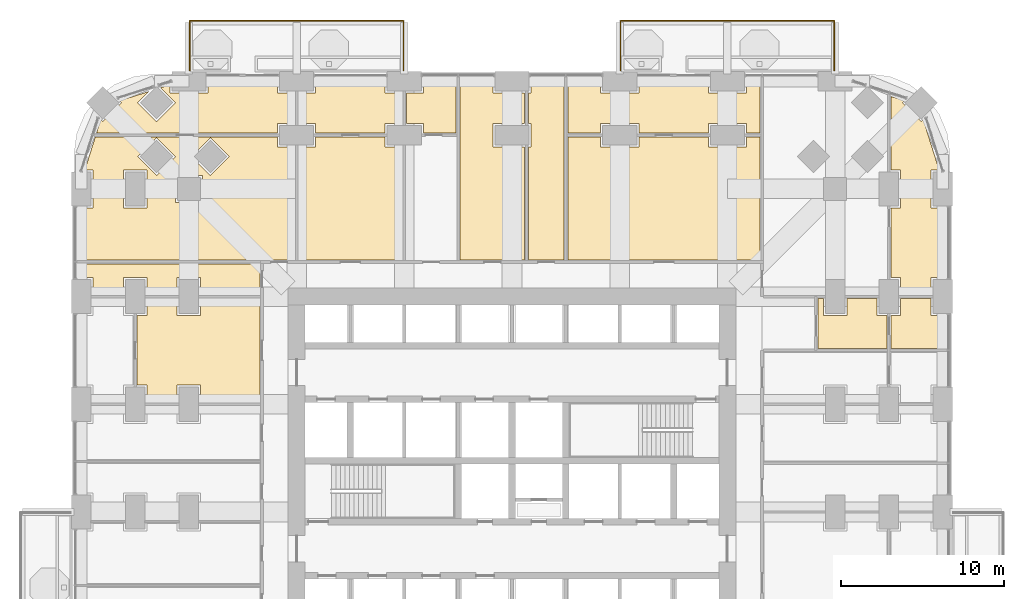
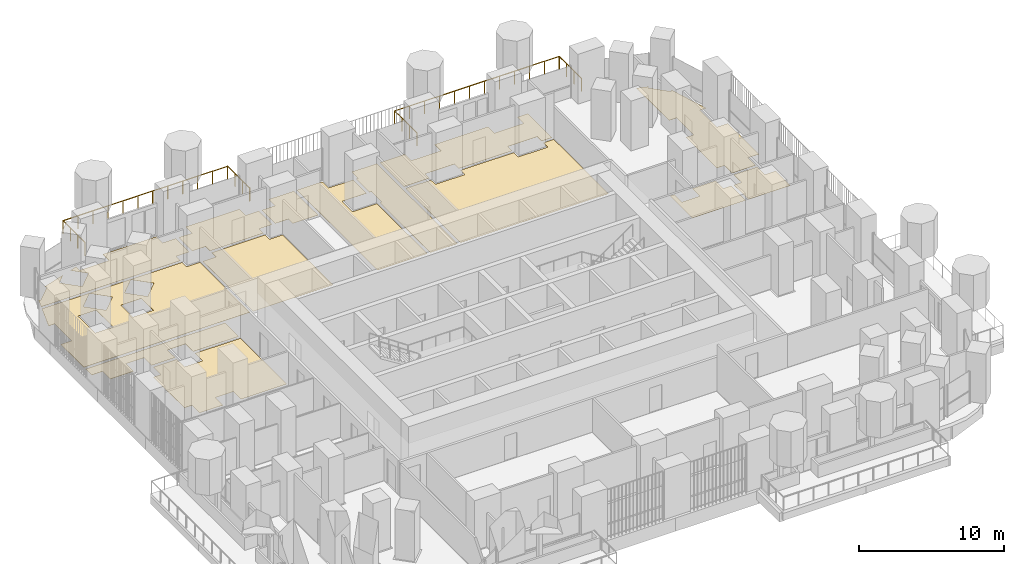
# One storey, part 26 of 27: 14 coverings, 2 railings.
"""IFC4 building model written with IfcOpenShell, lengths in metres."""

from ifc_helpers import new_model, si_unit, direction, frame, origin, place, context, subcontext, project, spatial, polyline, outline, extrude, material, layer, layer_set, type_object, element, save


model = new_model("IFC4")

# Units and contexts
model_context = context("Model", 3, precision=1e-05, world=origin(), true_north=direction((0.0, 1.0)))
body_context = subcontext(model_context, "Body", "Model", "MODEL_VIEW")
ifc_project = project(units=[si_unit("LENGTHUNIT", "METRE"), si_unit("AREAUNIT", "SQUARE_METRE"), si_unit("VOLUMEUNIT", "CUBIC_METRE"), si_unit("PLANEANGLEUNIT", "RADIAN"), si_unit("MASSUNIT", "GRAM", prefix="KILO")], contexts=[model_context])

# Site, building, storey
site_placement = place(None, origin())
site = spatial("IfcSite", under=ifc_project, at=site_placement, CompositionType="ELEMENT")
building_placement = place(site_placement, origin())
building = spatial("IfcBuilding", under=site, at=building_placement, Name="Cobogo Forest Laboratory Tower", CompositionType="ELEMENT")
storey_placement = place(building_placement, frame((0.0, 0.0, 29.699951171875)))
storey = spatial("IfcBuildingStorey", under=building, at=storey_placement, Name="L06", CompositionType="ELEMENT", Elevation=29.699951171875)

# Railings
ifc_material_1 = material(Name="Laminated glass balustrade", Category="glass")
railing_type = type_object("IfcRailingType", Name="BG1 glass balustrade 1100", PredefinedType="GUARDRAIL", material=ifc_material_1)
railing_1_placement = place(storey_placement, frame((6.64990234375, 46.85009765625, 0.0)))
element("IfcRailing", 1, at=railing_1_placement, inside=storey, type_object=railing_type, Name="Balcony balustrade BAL-N1 L06", PredefinedType="GUARDRAIL", context=body_context, shape_type="SweptSolid", body=[
    extrude(outline(polyline([(0.022216796875, 0.00927734375), (0.00927734375, 0.022216796875), (-0.00927734375, 0.022216796875), (-0.022216796875, 0.00927734375), (-0.022216796875, -0.00927734375), (-0.00927734375, -0.022216796875), (0.00927734375, -0.022216796875), (0.022216796875, -0.00927734375), (0.022216796875, 0.00927734375)])), frame((0.0, 0.0, 1.077880859375), z_axis=(0.0, 1.0, 0.0), x_axis=(-1.0, 0.0, 0.0)), (0.0, 0.0, 1.0), 3.0498046875),
    extrude(outline(polyline([(0.022216796875, 0.00927734375), (0.00927734375, 0.022216796875), (-0.00927734375, 0.022216796875), (-0.022216796875, 0.00927734375), (-0.022216796875, -0.00927734375), (-0.00927734375, -0.022216796875), (0.00927734375, -0.022216796875), (0.022216796875, -0.00927734375), (0.022216796875, 0.00927734375)])), frame((0.0, 3.0498046875, 1.077880859375), z_axis=(1.0, 0.0, 0.0), x_axis=(0.0, 1.0, 0.0)), (0.0, 0.0, 1.0), 13.10009765625),
    extrude(outline(polyline([(0.022216796875, 0.00927734375), (0.00927734375, 0.022216796875), (-0.00927734375, 0.022216796875), (-0.022216796875, 0.00927734375), (-0.022216796875, -0.00927734375), (-0.00927734375, -0.022216796875), (0.00927734375, -0.022216796875), (0.022216796875, -0.00927734375), (0.022216796875, 0.00927734375)])), frame((13.10009765625, 3.0498046875, 1.077880859375), z_axis=(0.0, -1.0, 0.0), x_axis=(1.0, 0.0, 0.0)), (0.0, 0.0, 1.0), 3.0498046875),
    extrude(outline(polyline([(0.019287109375, 0.008056640625), (0.008056640625, 0.019287109375), (-0.008056640625, 0.019287109375), (-0.019287109375, 0.008056640625), (-0.019287109375, -0.008056640625), (-0.008056640625, -0.019287109375), (0.008056640625, -0.019287109375), (0.019287109375, -0.008056640625), (0.019287109375, 0.008056640625)])), origin(), (0.0, 0.0, 1.0), 1.077880859375),
    extrude(outline(polyline([(0.019287109375, 0.008056640625), (0.008056640625, 0.019287109375), (-0.008056640625, 0.019287109375), (-0.019287109375, 0.008056640625), (-0.019287109375, -0.008056640625), (-0.008056640625, -0.019287109375), (0.008056640625, -0.019287109375), (0.019287109375, -0.008056640625), (0.019287109375, 0.008056640625)])), frame((0.0, 1.0166015625, 0.0)), (0.0, 0.0, 1.0), 1.077880859375),
    extrude(outline(polyline([(0.019287109375, 0.008056640625), (0.008056640625, 0.019287109375), (-0.008056640625, 0.019287109375), (-0.019287109375, 0.008056640625), (-0.019287109375, -0.008056640625), (-0.008056640625, -0.019287109375), (0.008056640625, -0.019287109375), (0.019287109375, -0.008056640625), (0.019287109375, 0.008056640625)])), frame((0.0, 2.033203125, 0.0)), (0.0, 0.0, 1.0), 1.077880859375),
    extrude(outline(polyline([(0.019287109375, 0.008056640625), (0.008056640625, 0.019287109375), (-0.008056640625, 0.019287109375), (-0.019287109375, 0.008056640625), (-0.019287109375, -0.008056640625), (-0.008056640625, -0.019287109375), (0.008056640625, -0.019287109375), (0.019287109375, -0.008056640625), (0.019287109375, 0.008056640625)])), frame((0.0, 3.0498046875, 0.0)), (0.0, 0.0, 1.0), 1.077880859375),
    extrude(outline(polyline([(0.019287109375, 0.008056640625), (0.008056640625, 0.019287109375), (-0.008056640625, 0.019287109375), (-0.019287109375, 0.008056640625), (-0.019287109375, -0.008056640625), (-0.008056640625, -0.019287109375), (0.008056640625, -0.019287109375), (0.019287109375, -0.008056640625), (0.019287109375, 0.008056640625)])), frame((1.19091796875, 3.0498046875, 0.0)), (0.0, 0.0, 1.0), 1.077880859375),
    extrude(outline(polyline([(0.019287109375, 0.008056640625), (0.008056640625, 0.019287109375), (-0.008056640625, 0.019287109375), (-0.019287109375, 0.008056640625), (-0.019287109375, -0.008056640625), (-0.008056640625, -0.019287109375), (0.008056640625, -0.019287109375), (0.019287109375, -0.008056640625), (0.019287109375, 0.008056640625)])), frame((2.3818359375, 3.0498046875, 0.0)), (0.0, 0.0, 1.0), 1.077880859375),
    extrude(outline(polyline([(0.019287109375, 0.008056640625), (0.008056640625, 0.019287109375), (-0.008056640625, 0.019287109375), (-0.019287109375, 0.008056640625), (-0.019287109375, -0.008056640625), (-0.008056640625, -0.019287109375), (0.008056640625, -0.019287109375), (0.019287109375, -0.008056640625), (0.019287109375, 0.008056640625)])), frame((3.57275390625, 3.0498046875, 0.0)), (0.0, 0.0, 1.0), 1.077880859375),
    extrude(outline(polyline([(0.019287109375, 0.008056640625), (0.008056640625, 0.019287109375), (-0.008056640625, 0.019287109375), (-0.019287109375, 0.008056640625), (-0.019287109375, -0.008056640625), (-0.008056640625, -0.019287109375), (0.008056640625, -0.019287109375), (0.019287109375, -0.008056640625), (0.019287109375, 0.008056640625)])), frame((4.763671875, 3.0498046875, 0.0)), (0.0, 0.0, 1.0), 1.077880859375),
    extrude(outline(polyline([(0.019287109375, 0.008056640625), (0.008056640625, 0.019287109375), (-0.008056640625, 0.019287109375), (-0.019287109375, 0.008056640625), (-0.019287109375, -0.008056640625), (-0.008056640625, -0.019287109375), (0.008056640625, -0.019287109375), (0.019287109375, -0.008056640625), (0.019287109375, 0.008056640625)])), frame((5.95458984375, 3.0498046875, 0.0)), (0.0, 0.0, 1.0), 1.077880859375),
    extrude(outline(polyline([(0.019287109375, 0.008056640625), (0.008056640625, 0.019287109375), (-0.008056640625, 0.019287109375), (-0.019287109375, 0.008056640625), (-0.019287109375, -0.008056640625), (-0.008056640625, -0.019287109375), (0.008056640625, -0.019287109375), (0.019287109375, -0.008056640625), (0.019287109375, 0.008056640625)])), frame((7.1455078125, 3.0498046875, 0.0)), (0.0, 0.0, 1.0), 1.077880859375),
    extrude(outline(polyline([(0.019287109375, 0.008056640625), (0.008056640625, 0.019287109375), (-0.008056640625, 0.019287109375), (-0.019287109375, 0.008056640625), (-0.019287109375, -0.008056640625), (-0.008056640625, -0.019287109375), (0.008056640625, -0.019287109375), (0.019287109375, -0.008056640625), (0.019287109375, 0.008056640625)])), frame((8.33642578125, 3.0498046875, 0.0)), (0.0, 0.0, 1.0), 1.077880859375),
    extrude(outline(polyline([(0.019287109375, 0.008056640625), (0.008056640625, 0.019287109375), (-0.008056640625, 0.019287109375), (-0.019287109375, 0.008056640625), (-0.019287109375, -0.008056640625), (-0.008056640625, -0.019287109375), (0.008056640625, -0.019287109375), (0.019287109375, -0.008056640625), (0.019287109375, 0.008056640625)])), frame((9.52734375, 3.0498046875, 0.0)), (0.0, 0.0, 1.0), 1.077880859375),
    extrude(outline(polyline([(0.019287109375, 0.008056640625), (0.008056640625, 0.019287109375), (-0.008056640625, 0.019287109375), (-0.019287109375, 0.008056640625), (-0.019287109375, -0.008056640625), (-0.008056640625, -0.019287109375), (0.008056640625, -0.019287109375), (0.019287109375, -0.008056640625), (0.019287109375, 0.008056640625)])), frame((10.71826171875, 3.0498046875, 0.0)), (0.0, 0.0, 1.0), 1.077880859375),
    extrude(outline(polyline([(0.019287109375, 0.008056640625), (0.008056640625, 0.019287109375), (-0.008056640625, 0.019287109375), (-0.019287109375, 0.008056640625), (-0.019287109375, -0.008056640625), (-0.008056640625, -0.019287109375), (0.008056640625, -0.019287109375), (0.019287109375, -0.008056640625), (0.019287109375, 0.008056640625)])), frame((11.9091796875, 3.0498046875, 0.0)), (0.0, 0.0, 1.0), 1.077880859375),
    extrude(outline(polyline([(0.019287109375, 0.008056640625), (0.008056640625, 0.019287109375), (-0.008056640625, 0.019287109375), (-0.019287109375, 0.008056640625), (-0.019287109375, -0.008056640625), (-0.008056640625, -0.019287109375), (0.008056640625, -0.019287109375), (0.019287109375, -0.008056640625), (0.019287109375, 0.008056640625)])), frame((13.10009765625, 3.0498046875, 0.0)), (0.0, 0.0, 1.0), 1.077880859375),
    extrude(outline(polyline([(0.019287109375, 0.008056640625), (0.008056640625, 0.019287109375), (-0.008056640625, 0.019287109375), (-0.019287109375, 0.008056640625), (-0.019287109375, -0.008056640625), (-0.008056640625, -0.019287109375), (0.008056640625, -0.019287109375), (0.019287109375, -0.008056640625), (0.019287109375, 0.008056640625)])), frame((13.10009765625, 2.033203125, 0.0)), (0.0, 0.0, 1.0), 1.077880859375),
    extrude(outline(polyline([(0.019287109375, 0.008056640625), (0.008056640625, 0.019287109375), (-0.008056640625, 0.019287109375), (-0.019287109375, 0.008056640625), (-0.019287109375, -0.008056640625), (-0.008056640625, -0.019287109375), (0.008056640625, -0.019287109375), (0.019287109375, -0.008056640625), (0.019287109375, 0.008056640625)])), frame((13.10009765625, 1.0166015625, 0.0)), (0.0, 0.0, 1.0), 1.077880859375),
    extrude(outline(polyline([(0.019287109375, 0.008056640625), (0.008056640625, 0.019287109375), (-0.008056640625, 0.019287109375), (-0.019287109375, 0.008056640625), (-0.019287109375, -0.008056640625), (-0.008056640625, -0.019287109375), (0.008056640625, -0.019287109375), (0.019287109375, -0.008056640625), (0.019287109375, 0.008056640625)])), frame((13.10009765625, 0.0, 0.0)), (0.0, 0.0, 1.0), 1.077880859375),
])
railing_2_placement = place(storey_placement, frame((33.050048828125, 46.85009765625, 0.0)))
element("IfcRailing", 2, at=railing_2_placement, inside=storey, type_object=railing_type, Name="Balcony balustrade BAL-N2 L06", PredefinedType="GUARDRAIL", context=body_context, shape_type="SweptSolid", body=[
    extrude(outline(polyline([(0.022216796875, 0.00927734375), (0.00927734375, 0.022216796875), (-0.00927734375, 0.022216796875), (-0.022216796875, 0.00927734375), (-0.022216796875, -0.00927734375), (-0.00927734375, -0.022216796875), (0.00927734375, -0.022216796875), (0.022216796875, -0.00927734375), (0.022216796875, 0.00927734375)])), frame((0.0, 0.0, 1.077880859375), z_axis=(0.0, 1.0, 0.0), x_axis=(-1.0, 0.0, 0.0)), (0.0, 0.0, 1.0), 3.0498046875),
    extrude(outline(polyline([(0.022216796875, 0.00927734375), (0.00927734375, 0.022216796875), (-0.00927734375, 0.022216796875), (-0.022216796875, 0.00927734375), (-0.022216796875, -0.00927734375), (-0.00927734375, -0.022216796875), (0.00927734375, -0.022216796875), (0.022216796875, -0.00927734375), (0.022216796875, 0.00927734375)])), frame((0.0, 3.0498046875, 1.077880859375), z_axis=(1.0, 0.0, 0.0), x_axis=(0.0, 1.0, 0.0)), (0.0, 0.0, 1.0), 13.099853515625),
    extrude(outline(polyline([(0.022216796875, 0.00927734375), (0.00927734375, 0.022216796875), (-0.00927734375, 0.022216796875), (-0.022216796875, 0.00927734375), (-0.022216796875, -0.00927734375), (-0.00927734375, -0.022216796875), (0.00927734375, -0.022216796875), (0.022216796875, -0.00927734375), (0.022216796875, 0.00927734375)])), frame((13.099853515625, 3.0498046875, 1.077880859375), z_axis=(0.0, -1.0, 0.0), x_axis=(1.0, 0.0, 0.0)), (0.0, 0.0, 1.0), 3.0498046875),
    extrude(outline(polyline([(0.019287109375, 0.008056640625), (0.008056640625, 0.019287109375), (-0.008056640625, 0.019287109375), (-0.019287109375, 0.008056640625), (-0.019287109375, -0.008056640625), (-0.008056640625, -0.019287109375), (0.008056640625, -0.019287109375), (0.019287109375, -0.008056640625), (0.019287109375, 0.008056640625)])), origin(), (0.0, 0.0, 1.0), 1.077880859375),
    extrude(outline(polyline([(0.019287109375, 0.008056640625), (0.008056640625, 0.019287109375), (-0.008056640625, 0.019287109375), (-0.019287109375, 0.008056640625), (-0.019287109375, -0.008056640625), (-0.008056640625, -0.019287109375), (0.008056640625, -0.019287109375), (0.019287109375, -0.008056640625), (0.019287109375, 0.008056640625)])), frame((0.0, 1.0166015625, 0.0)), (0.0, 0.0, 1.0), 1.077880859375),
    extrude(outline(polyline([(0.019287109375, 0.008056640625), (0.008056640625, 0.019287109375), (-0.008056640625, 0.019287109375), (-0.019287109375, 0.008056640625), (-0.019287109375, -0.008056640625), (-0.008056640625, -0.019287109375), (0.008056640625, -0.019287109375), (0.019287109375, -0.008056640625), (0.019287109375, 0.008056640625)])), frame((0.0, 2.033203125, 0.0)), (0.0, 0.0, 1.0), 1.077880859375),
    extrude(outline(polyline([(0.019287109375, 0.008056640625), (0.008056640625, 0.019287109375), (-0.008056640625, 0.019287109375), (-0.019287109375, 0.008056640625), (-0.019287109375, -0.008056640625), (-0.008056640625, -0.019287109375), (0.008056640625, -0.019287109375), (0.019287109375, -0.008056640625), (0.019287109375, 0.008056640625)])), frame((0.0, 3.0498046875, 0.0)), (0.0, 0.0, 1.0), 1.077880859375),
    extrude(outline(polyline([(0.019287109375, 0.008056640625), (0.008056640625, 0.019287109375), (-0.008056640625, 0.019287109375), (-0.019287109375, 0.008056640625), (-0.019287109375, -0.008056640625), (-0.008056640625, -0.019287109375), (0.008056640625, -0.019287109375), (0.019287109375, -0.008056640625), (0.019287109375, 0.008056640625)])), frame((1.19091796875, 3.0498046875, 0.0)), (0.0, 0.0, 1.0), 1.077880859375),
    extrude(outline(polyline([(0.019287109375, 0.008056640625), (0.008056640625, 0.019287109375), (-0.008056640625, 0.019287109375), (-0.019287109375, 0.008056640625), (-0.019287109375, -0.008056640625), (-0.008056640625, -0.019287109375), (0.008056640625, -0.019287109375), (0.019287109375, -0.008056640625), (0.019287109375, 0.008056640625)])), frame((2.3818359375, 3.0498046875, 0.0)), (0.0, 0.0, 1.0), 1.077880859375),
    extrude(outline(polyline([(0.019287109375, 0.008056640625), (0.008056640625, 0.019287109375), (-0.008056640625, 0.019287109375), (-0.019287109375, 0.008056640625), (-0.019287109375, -0.008056640625), (-0.008056640625, -0.019287109375), (0.008056640625, -0.019287109375), (0.019287109375, -0.008056640625), (0.019287109375, 0.008056640625)])), frame((3.57275390625, 3.0498046875, 0.0)), (0.0, 0.0, 1.0), 1.077880859375),
    extrude(outline(polyline([(0.019287109375, 0.008056640625), (0.008056640625, 0.019287109375), (-0.008056640625, 0.019287109375), (-0.019287109375, 0.008056640625), (-0.019287109375, -0.008056640625), (-0.008056640625, -0.019287109375), (0.008056640625, -0.019287109375), (0.019287109375, -0.008056640625), (0.019287109375, 0.008056640625)])), frame((4.763671875, 3.0498046875, 0.0)), (0.0, 0.0, 1.0), 1.077880859375),
    extrude(outline(polyline([(0.019287109375, 0.008056640625), (0.008056640625, 0.019287109375), (-0.008056640625, 0.019287109375), (-0.019287109375, 0.008056640625), (-0.019287109375, -0.008056640625), (-0.008056640625, -0.019287109375), (0.008056640625, -0.019287109375), (0.019287109375, -0.008056640625), (0.019287109375, 0.008056640625)])), frame((5.95458984375, 3.0498046875, 0.0)), (0.0, 0.0, 1.0), 1.077880859375),
    extrude(outline(polyline([(0.019287109375, 0.008056640625), (0.008056640625, 0.019287109375), (-0.008056640625, 0.019287109375), (-0.019287109375, 0.008056640625), (-0.019287109375, -0.008056640625), (-0.008056640625, -0.019287109375), (0.008056640625, -0.019287109375), (0.019287109375, -0.008056640625), (0.019287109375, 0.008056640625)])), frame((7.145263671875, 3.0498046875, 0.0)), (0.0, 0.0, 1.0), 1.077880859375),
    extrude(outline(polyline([(0.019287109375, 0.008056640625), (0.008056640625, 0.019287109375), (-0.008056640625, 0.019287109375), (-0.019287109375, 0.008056640625), (-0.019287109375, -0.008056640625), (-0.008056640625, -0.019287109375), (0.008056640625, -0.019287109375), (0.019287109375, -0.008056640625), (0.019287109375, 0.008056640625)])), frame((8.336181640625, 3.0498046875, 0.0)), (0.0, 0.0, 1.0), 1.077880859375),
    extrude(outline(polyline([(0.019287109375, 0.008056640625), (0.008056640625, 0.019287109375), (-0.008056640625, 0.019287109375), (-0.019287109375, 0.008056640625), (-0.019287109375, -0.008056640625), (-0.008056640625, -0.019287109375), (0.008056640625, -0.019287109375), (0.019287109375, -0.008056640625), (0.019287109375, 0.008056640625)])), frame((9.527099609375, 3.0498046875, 0.0)), (0.0, 0.0, 1.0), 1.077880859375),
    extrude(outline(polyline([(0.019287109375, 0.008056640625), (0.008056640625, 0.019287109375), (-0.008056640625, 0.019287109375), (-0.019287109375, 0.008056640625), (-0.019287109375, -0.008056640625), (-0.008056640625, -0.019287109375), (0.008056640625, -0.019287109375), (0.019287109375, -0.008056640625), (0.019287109375, 0.008056640625)])), frame((10.718017578125, 3.0498046875, 0.0)), (0.0, 0.0, 1.0), 1.077880859375),
    extrude(outline(polyline([(0.019287109375, 0.008056640625), (0.008056640625, 0.019287109375), (-0.008056640625, 0.019287109375), (-0.019287109375, 0.008056640625), (-0.019287109375, -0.008056640625), (-0.008056640625, -0.019287109375), (0.008056640625, -0.019287109375), (0.019287109375, -0.008056640625), (0.019287109375, 0.008056640625)])), frame((11.908935546875, 3.0498046875, 0.0)), (0.0, 0.0, 1.0), 1.077880859375),
    extrude(outline(polyline([(0.019287109375, 0.008056640625), (0.008056640625, 0.019287109375), (-0.008056640625, 0.019287109375), (-0.019287109375, 0.008056640625), (-0.019287109375, -0.008056640625), (-0.008056640625, -0.019287109375), (0.008056640625, -0.019287109375), (0.019287109375, -0.008056640625), (0.019287109375, 0.008056640625)])), frame((13.099853515625, 3.0498046875, 0.0)), (0.0, 0.0, 1.0), 1.077880859375),
    extrude(outline(polyline([(0.019287109375, 0.008056640625), (0.008056640625, 0.019287109375), (-0.008056640625, 0.019287109375), (-0.019287109375, 0.008056640625), (-0.019287109375, -0.008056640625), (-0.008056640625, -0.019287109375), (0.008056640625, -0.019287109375), (0.019287109375, -0.008056640625), (0.019287109375, 0.008056640625)])), frame((13.099853515625, 2.033203125, 0.0)), (0.0, 0.0, 1.0), 1.077880859375),
    extrude(outline(polyline([(0.019287109375, 0.008056640625), (0.008056640625, 0.019287109375), (-0.008056640625, 0.019287109375), (-0.019287109375, 0.008056640625), (-0.019287109375, -0.008056640625), (-0.008056640625, -0.019287109375), (0.008056640625, -0.019287109375), (0.019287109375, -0.008056640625), (0.019287109375, 0.008056640625)])), frame((13.099853515625, 1.0166015625, 0.0)), (0.0, 0.0, 1.0), 1.077880859375),
    extrude(outline(polyline([(0.019287109375, 0.008056640625), (0.008056640625, 0.019287109375), (-0.008056640625, 0.019287109375), (-0.019287109375, 0.008056640625), (-0.019287109375, -0.008056640625), (-0.008056640625, -0.019287109375), (0.008056640625, -0.019287109375), (0.019287109375, -0.008056640625), (0.019287109375, 0.008056640625)])), frame((13.099853515625, 0.0, 0.0)), (0.0, 0.0, 1.0), 1.077880859375),
])

# Coverings
ifc_material_2 = material(Name="Carpet tile on raised access floor", Category="flooring")
ifc_layer_1 = layer(ifc_material_2, 0.008056640625)
ifc_layer_set_1 = layer_set([ifc_layer_1], Name="CT1 carpet tile floor 8")
covering_type_1 = type_object("IfcCoveringType", Name="CT1 carpet tile floor 8", PredefinedType="FLOORING", material=ifc_layer_set_1)
covering_1_placement = place(storey_placement, origin())
element("IfcCovering", 3, at=covering_1_placement, inside=storey, type_object=covering_type_1, Name="Carpet floor L06-15", PredefinedType="FLOORING", context=body_context, shape_type="SweptSolid", body=[
    extrude(outline(polyline([(49.6201171875, 31.830078125), (50.219970703125, 31.830078125), (50.219970703125, 32.8798828125), (52.080078125, 32.8798828125), (52.080078125, 31.830078125), (52.949951171875, 31.830078125), (52.949951171875, 29.820068359375), (49.6201171875, 29.820068359375), (49.6201171875, 31.830078125)])), origin(), (0.0, 0.0, 1.0), 0.008056640625),
])
covering_2_placement = place(storey_placement, origin())
element("IfcCovering", 4, at=covering_2_placement, inside=storey, type_object=covering_type_1, Name="Carpet floor L06-17", PredefinedType="FLOORING", context=body_context, shape_type="SweptSolid", body=[
    extrude(outline(polyline([(49.6201171875, 38.429931640625), (50.219970703125, 38.429931640625), (50.219970703125, 40.77001953125), (49.6201171875, 40.77001953125), (49.6201171875, 45.26025390625), (50.441162109375, 45.0009765625), (50.322265625, 44.882080078125), (51.48193359375, 43.722412109375), (51.600830078125, 43.84130859375), (52.57080078125, 40.77001953125), (52.080078125, 40.77001953125), (52.080078125, 38.429931640625), (52.949951171875, 38.429931640625), (52.949951171875, 34.169921875), (52.080078125, 34.169921875), (52.080078125, 33.1201171875), (50.219970703125, 33.1201171875), (50.219970703125, 34.169921875), (49.6201171875, 34.169921875), (49.6201171875, 38.429931640625)])), origin(), (0.0, 0.0, 1.0), 0.008056640625),
])
covering_3_placement = place(storey_placement, origin())
element("IfcCovering", 5, at=covering_3_placement, inside=storey, type_object=covering_type_1, Name="Carpet floor L06-19", PredefinedType="FLOORING", context=body_context, shape_type="SweptSolid", body=[
    extrude(outline(polyline([(0.939697265625, 43.02001953125), (1.19921875, 43.84130859375), (1.318115234375, 43.722412109375), (2.477783203125, 44.882080078125), (2.358642578125, 45.0009765625), (4.1396484375, 45.563232421875), (3.458251953125, 44.882080078125), (4.617919921875, 43.722412109375), (5.777587890625, 44.882080078125), (4.86669921875, 45.79296875), (5.429931640625, 45.970703125), (5.429931640625, 45.47998046875), (7.77001953125, 45.47998046875), (7.77001953125, 46.35009765625), (12.030029296875, 46.35009765625), (12.030029296875, 45.47998046875), (13.080078125, 45.47998046875), (13.080078125, 43.6201171875), (12.030029296875, 43.6201171875), (12.030029296875, 43.02001953125), (0.939697265625, 43.02001953125)])), origin(), (0.0, 0.0, 1.0), 0.008056640625),
])
covering_4_placement = place(storey_placement, origin())
element("IfcCovering", 6, at=covering_4_placement, inside=storey, type_object=covering_type_1, Name="Carpet floor L06-21", PredefinedType="FLOORING", context=body_context, shape_type="SweptSolid", body=[
    extrude(outline(polyline([(14.3701171875, 43.02001953125), (14.3701171875, 43.6201171875), (13.320068359375, 43.6201171875), (13.320068359375, 45.47998046875), (14.3701171875, 45.47998046875), (14.3701171875, 46.35009765625), (18.6298828125, 46.35009765625), (18.6298828125, 45.47998046875), (19.679931640625, 45.47998046875), (19.679931640625, 43.6201171875), (18.6298828125, 43.6201171875), (18.6298828125, 43.02001953125), (14.3701171875, 43.02001953125)])), origin(), (0.0, 0.0, 1.0), 0.008056640625),
])
covering_5_placement = place(storey_placement, origin())
element("IfcCovering", 7, at=covering_5_placement, inside=storey, type_object=covering_type_1, Name="Carpet floor L06-23", PredefinedType="FLOORING", context=body_context, shape_type="SweptSolid", body=[
    extrude(outline(polyline([(20.969970703125, 43.02001953125), (20.969970703125, 43.6201171875), (19.919921875, 43.6201171875), (19.919921875, 45.47998046875), (20.969970703125, 45.47998046875), (20.969970703125, 46.35009765625), (22.97998046875, 46.35009765625), (22.97998046875, 43.02001953125), (20.969970703125, 43.02001953125)])), origin(), (0.0, 0.0, 1.0), 0.008056640625),
])
covering_6_placement = place(storey_placement, origin())
element("IfcCovering", 8, at=covering_6_placement, inside=storey, type_object=covering_type_1, Name="Carpet floor L06-24", PredefinedType="FLOORING", context=body_context, shape_type="SweptSolid", body=[
    extrude(outline(polyline([(23.219970703125, 35.2451171875), (23.219970703125, 46.35009765625), (25.22998046875, 46.35009765625), (25.22998046875, 45.47998046875), (27.179931640625, 45.47998046875), (27.179931640625, 43.6201171875), (25.22998046875, 43.6201171875), (25.22998046875, 42.179931640625), (27.179931640625, 42.179931640625), (27.179931640625, 35.2451171875), (23.219970703125, 35.2451171875)])), origin(), (0.0, 0.0, 1.0), 0.008056640625),
])
covering_7_placement = place(storey_placement, origin())
element("IfcCovering", 9, at=covering_7_placement, inside=storey, type_object=covering_type_1, Name="Carpet floor L06-27", PredefinedType="FLOORING", context=body_context, shape_type="SweptSolid", body=[
    extrude(outline(polyline([(40.77001953125, 43.02001953125), (40.77001953125, 43.6201171875), (38.429931640625, 43.6201171875), (38.429931640625, 43.02001953125), (34.169921875, 43.02001953125), (34.169921875, 43.6201171875), (31.830078125, 43.6201171875), (31.830078125, 43.02001953125), (29.820068359375, 43.02001953125), (29.820068359375, 46.35009765625), (31.830078125, 46.35009765625), (31.830078125, 45.47998046875), (34.169921875, 45.47998046875), (34.169921875, 46.35009765625), (38.429931640625, 46.35009765625), (38.429931640625, 45.47998046875), (40.77001953125, 45.47998046875), (40.77001953125, 46.35009765625), (41.60498046875, 46.35009765625), (41.60498046875, 43.02001953125), (40.77001953125, 43.02001953125)])), origin(), (0.0, 0.0, 1.0), 0.008056640625),
])
covering_8_placement = place(storey_placement, origin())
element("IfcCovering", 10, at=covering_8_placement, inside=storey, type_object=covering_type_1, Name="Carpet floor L06-36", PredefinedType="FLOORING", context=body_context, shape_type="SweptSolid", body=[
    extrude(outline(polyline([(10.955078125, 33.1201171875), (7.320068359375, 33.1201171875), (7.320068359375, 34.169921875), (5.8798828125, 34.169921875), (5.8798828125, 33.1201171875), (4.02001953125, 33.1201171875), (4.02001953125, 34.169921875), (2.580078125, 34.169921875), (2.580078125, 33.1201171875), (0.719970703125, 33.1201171875), (0.719970703125, 34.169921875), (-0.14990234375, 34.169921875), (-0.14990234375, 35.0048828125), (10.955078125, 35.0048828125), (10.955078125, 33.1201171875)])), origin(), (0.0, 0.0, 1.0), 0.008056640625),
])
ifc_material_3 = material(Name="Epoxy resin flooring", Category="flooring")
ifc_layer_2 = layer(ifc_material_3, 0.00390625)
ifc_layer_set_2 = layer_set([ifc_layer_2], Name="LF1 epoxy laboratory floor 4")
covering_type_2 = type_object("IfcCoveringType", Name="LF1 epoxy laboratory floor 4", PredefinedType="FLOORING", material=ifc_layer_set_2)
covering_9_placement = place(storey_placement, origin())
element("IfcCovering", 11, at=covering_9_placement, inside=storey, type_object=covering_type_2, Name="Epoxy laboratory floor L06-14", PredefinedType="FLOORING", context=body_context, shape_type="SweptSolid", body=[
    extrude(outline(polyline([(45.14501953125, 32.8798828125), (45.47998046875, 32.8798828125), (45.47998046875, 31.830078125), (46.919921875, 31.830078125), (46.919921875, 32.8798828125), (48.780029296875, 32.8798828125), (48.780029296875, 31.830078125), (49.3798828125, 31.830078125), (49.3798828125, 29.820068359375), (45.14501953125, 29.820068359375), (45.14501953125, 32.8798828125)])), origin(), (0.0, 0.0, 1.0), 0.004150390625),
])
covering_10_placement = place(storey_placement, origin())
element("IfcCovering", 12, at=covering_10_placement, inside=storey, type_object=covering_type_2, Name="Epoxy laboratory floor L06-20", PredefinedType="FLOORING", context=body_context, shape_type="SweptSolid", body=[
    extrude(outline(polyline([(13.320068359375, 42.179931640625), (14.3701171875, 42.179931640625), (14.3701171875, 42.780029296875), (18.6298828125, 42.780029296875), (18.6298828125, 42.179931640625), (19.679931640625, 42.179931640625), (19.679931640625, 35.2451171875), (13.320068359375, 35.2451171875), (13.320068359375, 42.179931640625)])), origin(), (0.0, 0.0, 1.0), 0.004150390625),
])
covering_11_placement = place(storey_placement, origin())
element("IfcCovering", 13, at=covering_11_placement, inside=storey, type_object=covering_type_2, Name="Epoxy laboratory floor L06-26", PredefinedType="FLOORING", context=body_context, shape_type="SweptSolid", body=[
    extrude(outline(polyline([(29.820068359375, 42.780029296875), (31.830078125, 42.780029296875), (31.830078125, 42.179931640625), (34.169921875, 42.179931640625), (34.169921875, 42.780029296875), (38.429931640625, 42.780029296875), (38.429931640625, 42.179931640625), (40.77001953125, 42.179931640625), (40.77001953125, 42.780029296875), (41.60498046875, 42.780029296875), (41.60498046875, 35.2451171875), (29.820068359375, 35.2451171875), (29.820068359375, 42.780029296875)])), origin(), (0.0, 0.0, 1.0), 0.004150390625),
])
covering_12_placement = place(storey_placement, origin())
element("IfcCovering", 14, at=covering_12_placement, inside=storey, type_object=covering_type_2, Name="Epoxy laboratory floor L06-34", PredefinedType="FLOORING", context=body_context, shape_type="SweptSolid", body=[
    extrude(outline(polyline([(3.419921875, 31.830078125), (4.02001953125, 31.830078125), (4.02001953125, 32.8798828125), (5.8798828125, 32.8798828125), (5.8798828125, 31.830078125), (7.320068359375, 31.830078125), (7.320068359375, 32.8798828125), (10.955078125, 32.8798828125), (10.955078125, 26.52001953125), (7.320068359375, 26.52001953125), (7.320068359375, 27.570068359375), (5.8798828125, 27.570068359375), (5.8798828125, 26.52001953125), (4.02001953125, 26.52001953125), (4.02001953125, 27.570068359375), (3.419921875, 27.570068359375), (3.419921875, 31.830078125)])), origin(), (0.0, 0.0, 1.0), 0.004150390625),
])
ifc_material_4 = material(Name="Ceramic floor tile", Category="flooring")
ifc_layer_3 = layer(ifc_material_4, 0.010009765625)
ifc_layer_set_3 = layer_set([ifc_layer_3], Name="TF1 ceramic tile floor 10")
covering_type_3 = type_object("IfcCoveringType", Name="TF1 ceramic tile floor 10", PredefinedType="FLOORING", material=ifc_layer_set_3)
covering_13_placement = place(storey_placement, origin())
element("IfcCovering", 15, at=covering_13_placement, inside=storey, type_object=covering_type_3, Name="Tile floor L06-18", PredefinedType="FLOORING", context=body_context, shape_type="SweptSolid", body=[
    extrude(outline(polyline([(13.080078125, 35.2451171875), (-0.14990234375, 35.2451171875), (-0.14990234375, 38.429931640625), (0.719970703125, 38.429931640625), (0.719970703125, 40.77001953125), (0.229248046875, 40.77001953125), (0.864013671875, 42.780029296875), (12.030029296875, 42.780029296875), (12.030029296875, 42.179931640625), (13.080078125, 42.179931640625), (13.080078125, 35.2451171875)]), holes=[polyline([(6.75830078125, 41.58203125), (7.91796875, 40.42236328125), (9.07763671875, 41.58203125), (7.91796875, 42.74169921875), (6.75830078125, 41.58203125)]), polyline([(5.780029296875, 40.419921875), (5.780029296875, 38.780029296875), (7.419921875, 38.780029296875), (7.419921875, 40.419921875), (5.780029296875, 40.419921875)]), polyline([(3.458251953125, 41.58203125), (4.617919921875, 40.42236328125), (5.777587890625, 41.58203125), (4.617919921875, 42.74169921875), (3.458251953125, 41.58203125)]), polyline([(2.580078125, 38.429931640625), (4.02001953125, 38.429931640625), (4.02001953125, 40.77001953125), (2.580078125, 40.77001953125), (2.580078125, 38.429931640625)])]), origin(), (0.0, 0.0, 1.0), 0.010009765625),
])
covering_14_placement = place(storey_placement, origin())
element("IfcCovering", 16, at=covering_14_placement, inside=storey, type_object=covering_type_3, Name="Tile floor L06-25", PredefinedType="FLOORING", context=body_context, shape_type="SweptSolid", body=[
    extrude(outline(polyline([(27.419921875, 35.2451171875), (27.419921875, 42.179931640625), (27.570068359375, 42.179931640625), (27.570068359375, 43.6201171875), (27.419921875, 43.6201171875), (27.419921875, 45.47998046875), (27.570068359375, 45.47998046875), (27.570068359375, 46.35009765625), (29.580078125, 46.35009765625), (29.580078125, 35.2451171875), (27.419921875, 35.2451171875)])), origin(), (0.0, 0.0, 1.0), 0.010009765625),
])

save(model, "model.ifc")
